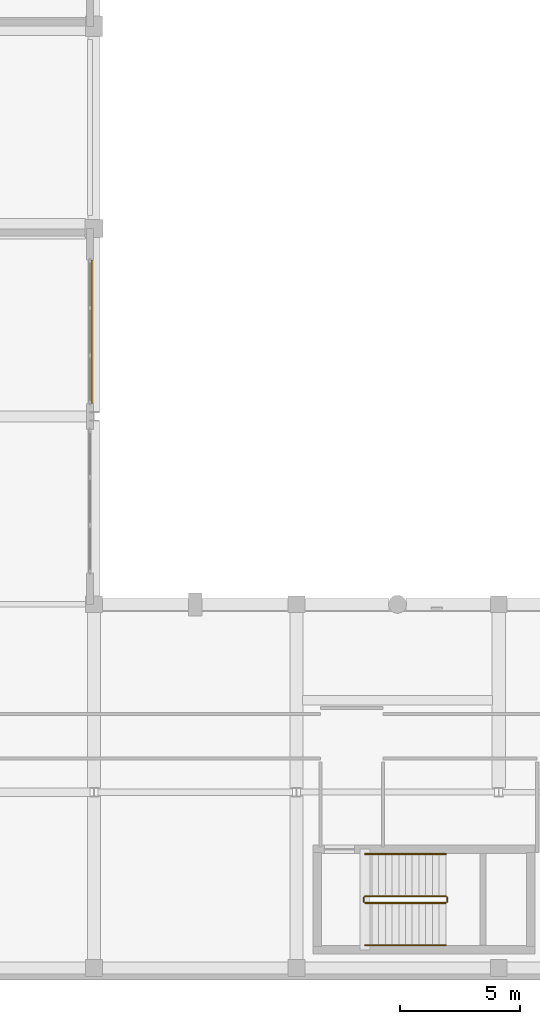
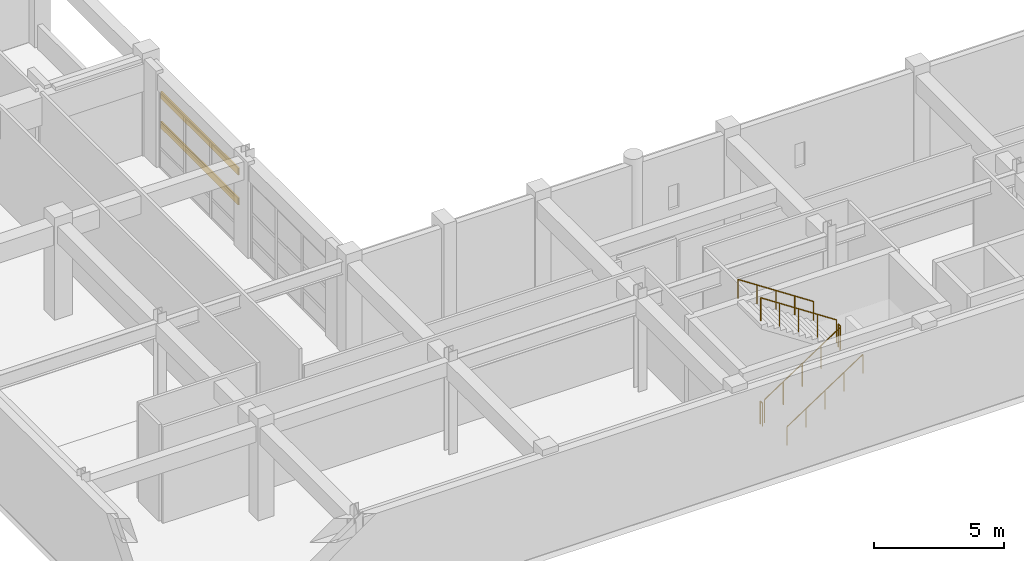
# One storey, part 113 of 123: 6 railings, 2 shading devices.
"""IFC4 building model written with IfcOpenShell, lengths in metres."""

from ifc_helpers import new_model, si_unit, direction, frame, origin, origin_2d, place, context, subcontext, project, spatial, hollow_rectangle, circle, extrude, material, material_profile, profile_set, type_object, element, save


model = new_model("IFC4")

# Units and contexts
model_context = context("Model", 3, precision=1e-05, world=origin(), true_north=direction((0.0, 1.0)))
body_context = subcontext(model_context, "Body", "Model", "MODEL_VIEW")
ifc_project = project(units=[si_unit("LENGTHUNIT", "METRE"), si_unit("AREAUNIT", "SQUARE_METRE"), si_unit("VOLUMEUNIT", "CUBIC_METRE"), si_unit("PLANEANGLEUNIT", "RADIAN"), si_unit("MASSUNIT", "GRAM", prefix="KILO")], contexts=[model_context])

# Site, building, storey
site_placement = place(None, origin())
site = spatial("IfcSite", under=ifc_project, at=site_placement, CompositionType="ELEMENT")
building_placement = place(site_placement, origin())
building = spatial("IfcBuilding", under=site, at=building_placement, Name="Quendrovan Civic Courthouse", CompositionType="ELEMENT")
storey_placement = place(building_placement, frame((0.0, 0.0, 5.39990234375)))
storey = spatial("IfcBuildingStorey", under=building, at=storey_placement, Name="L02", CompositionType="ELEMENT", Elevation=5.39990234375)

# Railings
ifc_material_1 = material(Name="Painted galvanized steel", Category="steel")
railing_type_1 = type_object("IfcRailingType", Name="RL-STR-GUARD1100", PredefinedType="GUARDRAIL", material=ifc_material_1)
railing_1_placement = place(storey_placement, frame((28.050048828125, 3.199951171875, 0.184814453125)))
element("IfcRailing", 1, at=railing_1_placement, inside=storey, type_object=railing_type_1, Name="L02 ST5 stair guard 1", PredefinedType="GUARDRAIL", context=body_context, shape_type="SweptSolid", body=[
    extrude(circle(Radius=0.02392578125, at=origin_2d()), frame((0.0, 0.0, 1.076171875), z_axis=(0.834858096282, 0.0, 0.550465220583), x_axis=(0.0, 1.0, 0.0)), (0.0, 0.0, 1.0), 4.0244140625),
    extrude(circle(Radius=0.02099609375, at=origin_2d()), origin(), (0.0, 0.0, 1.0), 1.052001953125),
    extrude(circle(Radius=0.02099609375, at=origin_2d()), frame((0.83984375, 0.0, 0.5537109375)), (0.0, 0.0, 1.0), 1.052001953125),
    extrude(circle(Radius=0.02099609375, at=origin_2d()), frame((1.679931640625, 0.0, 1.107666015625)), (0.0, 0.0, 1.0), 1.052001953125),
    extrude(circle(Radius=0.02099609375, at=origin_2d()), frame((2.52001953125, 0.0, 1.66162109375)), (0.0, 0.0, 1.0), 1.052001953125),
    extrude(circle(Radius=0.02099609375, at=origin_2d()), frame((3.35986328125, 0.0, 2.21533203125)), (0.0, 0.0, 1.0), 1.052001953125),
])
railing_2_placement = place(storey_placement, frame((31.4599609375, 3.25, 2.400146484375)))
element("IfcRailing", 2, at=railing_2_placement, inside=storey, type_object=railing_type_1, Name="L02 ST5 stair guard 2", PredefinedType="GUARDRAIL", context=body_context, shape_type="SweptSolid", body=[
    extrude(circle(Radius=0.02392578125, at=origin_2d()), frame((0.0, 0.0, 1.076171875), z_axis=(0.0, 1.0, 0.0), x_axis=(-1.0, 0.0, 0.0)), (0.0, 0.0, 1.0), 0.179931640625),
    extrude(circle(Radius=0.02099609375, at=origin_2d()), origin(), (0.0, 0.0, 1.0), 1.052001953125),
    extrude(circle(Radius=0.02099609375, at=origin_2d()), frame((0.0, 0.179931640625, 0.0)), (0.0, 0.0, 1.0), 1.052001953125),
])
railing_3_placement = place(storey_placement, frame((31.409912109375, 3.47998046875, 2.584716796875)))
element("IfcRailing", 3, at=railing_3_placement, inside=storey, type_object=railing_type_1, Name="L02 ST5 stair guard 3", PredefinedType="GUARDRAIL", context=body_context, shape_type="SweptSolid", body=[
    extrude(circle(Radius=0.02392578125, at=origin_2d()), frame((0.0, 0.0, 1.076171875), z_axis=(-0.834858096282, 0.0, 0.550465220583), x_axis=(0.0, -1.0, 0.0)), (0.0, 0.0, 1.0), 4.0244140625),
    extrude(circle(Radius=0.02099609375, at=origin_2d()), origin(), (0.0, 0.0, 1.0), 1.052001953125),
    extrude(circle(Radius=0.02099609375, at=origin_2d()), frame((-0.83984375, 0.0, 0.5537109375)), (0.0, 0.0, 1.0), 1.052001953125),
    extrude(circle(Radius=0.02099609375, at=origin_2d()), frame((-1.679931640625, 0.0, 1.107666015625)), (0.0, 0.0, 1.0), 1.052001953125),
    extrude(circle(Radius=0.02099609375, at=origin_2d()), frame((-2.52001953125, 0.0, 1.66162109375)), (0.0, 0.0, 1.0), 1.052001953125),
    extrude(circle(Radius=0.02099609375, at=origin_2d()), frame((-3.35986328125, 0.0, 2.21533203125)), (0.0, 0.0, 1.0), 1.052001953125),
])
railing_4_placement = place(storey_placement, frame((28.0, 3.25, 0.0)))
element("IfcRailing", 4, at=railing_4_placement, inside=storey, type_object=railing_type_1, Name="L02 ST5 stair guard 4", PredefinedType="GUARDRAIL", context=body_context, shape_type="SweptSolid", body=[
    extrude(circle(Radius=0.02392578125, at=origin_2d()), frame((0.0, 0.0, 1.076171875), z_axis=(0.0, 1.0, 0.0), x_axis=(-1.0, 0.0, 0.0)), (0.0, 0.0, 1.0), 0.179931640625),
    extrude(circle(Radius=0.02099609375, at=origin_2d()), origin(), (0.0, 0.0, 1.0), 1.052001953125),
    extrude(circle(Radius=0.02099609375, at=origin_2d()), frame((0.0, 0.179931640625, 0.0)), (0.0, 0.0, 1.0), 1.052001953125),
])
ifc_material_2 = material(Name="Bronze anodised aluminium", Category="aluminium")
railing_type_2 = type_object("IfcRailingType", Name="RL-STR-HAND900", PredefinedType="HANDRAIL", material=ifc_material_2)
railing_5_placement = place(storey_placement, frame((28.050048828125, 1.449951171875, 0.184814453125)))
element("IfcRailing", 5, at=railing_5_placement, inside=storey, type_object=railing_type_2, Name="L02 ST5 stair handrail 1", PredefinedType="HANDRAIL", context=body_context, shape_type="SweptSolid", body=[
    extrude(circle(Radius=0.02392578125, at=origin_2d()), frame((0.0, 0.0, 0.8759765625), z_axis=(0.834858096282, 0.0, 0.550465220583), x_axis=(0.0, 1.0, 0.0)), (0.0, 0.0, 1.0), 4.0244140625),
    extrude(circle(Radius=0.02099609375, at=origin_2d()), origin(), (0.0, 0.0, 1.0), 0.851806640625),
    extrude(circle(Radius=0.02099609375, at=origin_2d()), frame((0.83984375, 0.0, 0.5537109375)), (0.0, 0.0, 1.0), 0.851806640625),
    extrude(circle(Radius=0.02099609375, at=origin_2d()), frame((1.679931640625, 0.0, 1.107666015625)), (0.0, 0.0, 1.0), 0.851806640625),
    extrude(circle(Radius=0.02099609375, at=origin_2d()), frame((2.52001953125, 0.0, 1.66162109375)), (0.0, 0.0, 1.0), 0.851806640625),
    extrude(circle(Radius=0.02099609375, at=origin_2d()), frame((3.35986328125, 0.0, 2.21533203125)), (0.0, 0.0, 1.0), 0.851806640625),
])
railing_6_placement = place(storey_placement, frame((31.409912109375, 5.22998046875, 2.584716796875)))
element("IfcRailing", 6, at=railing_6_placement, inside=storey, type_object=railing_type_2, Name="L02 ST5 stair handrail 2", PredefinedType="HANDRAIL", context=body_context, shape_type="SweptSolid", body=[
    extrude(circle(Radius=0.02392578125, at=origin_2d()), frame((0.0, 0.0, 0.8759765625), z_axis=(-0.834858096282, 0.0, 0.550465220583), x_axis=(0.0, -1.0, 0.0)), (0.0, 0.0, 1.0), 4.0244140625),
    extrude(circle(Radius=0.02099609375, at=origin_2d()), origin(), (0.0, 0.0, 1.0), 0.851806640625),
    extrude(circle(Radius=0.02099609375, at=origin_2d()), frame((-0.83984375, 0.0, 0.5537109375)), (0.0, 0.0, 1.0), 0.851806640625),
    extrude(circle(Radius=0.02099609375, at=origin_2d()), frame((-1.679931640625, 0.0, 1.107666015625)), (0.0, 0.0, 1.0), 0.851806640625),
    extrude(circle(Radius=0.02099609375, at=origin_2d()), frame((-2.52001953125, 0.0, 1.66162109375)), (0.0, 0.0, 1.0), 0.851806640625),
    extrude(circle(Radius=0.02099609375, at=origin_2d()), frame((-3.35986328125, 0.0, 2.21533203125)), (0.0, 0.0, 1.0), 0.851806640625),
])

# Shading devices
ifc_material_profile = material_profile(ifc_material_2, hollow_rectangle(XDim=0.06494140625, YDim=0.320068359375, WallThickness=0.0048828125, at=origin_2d()), Name="AL-LOUVRE-65x320")
ifc_profile_set = profile_set([ifc_material_profile], Name="Bronze anodised aluminium")
shading_device_type = type_object("IfcShadingDeviceType", Name="SHD-STORM-LOUVRE", PredefinedType="JALOUSIE", material=ifc_profile_set)
for number, where, z_axis, x_axis, name in (
    (7, (16.715087890625, 29.89990234375, 1.9501953125), (0.0, -1.0, 0.0), (1.0, 0.0, 0.0), "L02 Bronze Hurricane Storm Louvre SLV-077"),
    (8, (16.715087890625, 29.89990234375, 3.35009765625), (0.0, -1.0, 0.0), (1.0, 0.0, 0.0), "L02 Bronze Hurricane Storm Louvre SLV-078"),
):
    element("IfcShadingDevice", number, at=place(storey_placement, frame(where, z_axis=z_axis, x_axis=x_axis)), inside=storey, type_object=shading_device_type, Name=name, PredefinedType="JALOUSIE", context=body_context, shape_type="SweptSolid", body=[
        extrude(hollow_rectangle(XDim=0.06494140625, YDim=0.320068359375, WallThickness=0.0048828125, at=origin_2d()), origin(), (0.0, 0.0, 1.0), 5.962890625),
    ])

save(model, "model.ifc")
